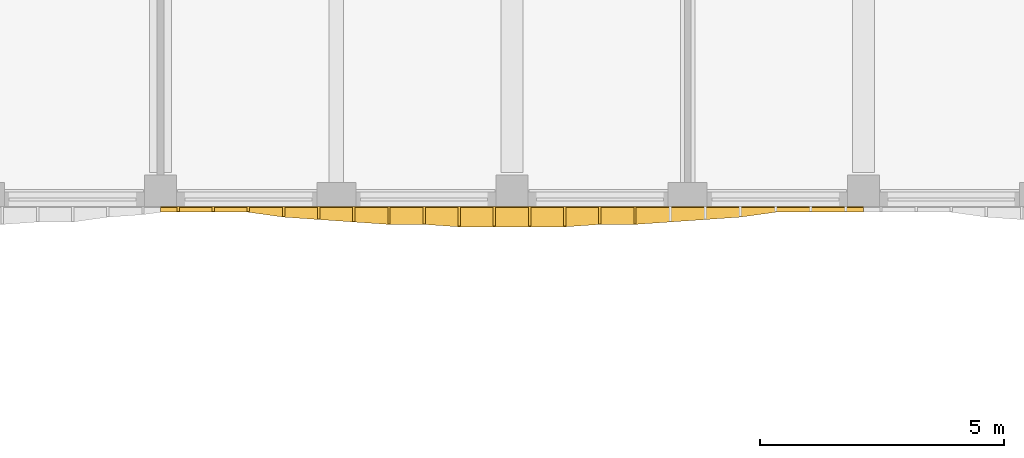
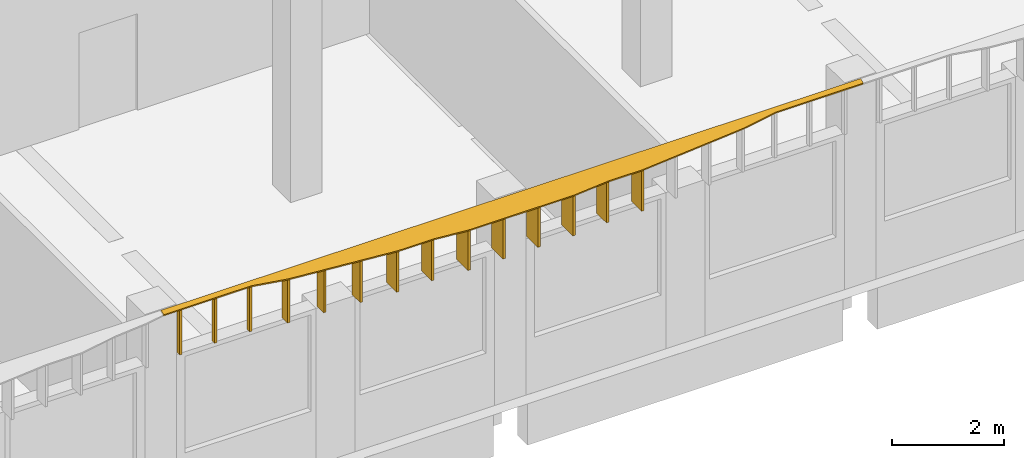
# One storey, part 43 of 58: 15 shading devices.
"""IFC4 building model written with IfcOpenShell, lengths in metres."""

from ifc_helpers import new_model, si_unit, direction, frame, origin, place, context, subcontext, project, spatial, polyline, outline, extrude, material, layer, layer_set, type_object, element, save


model = new_model("IFC4")

# Units and contexts
model_context = context("Model", 3, precision=1e-05, world=origin(), true_north=direction((0.0, 1.0)))
body_context = subcontext(model_context, "Body", "Model", "MODEL_VIEW")
ifc_project = project(units=[si_unit("LENGTHUNIT", "METRE"), si_unit("AREAUNIT", "SQUARE_METRE"), si_unit("VOLUMEUNIT", "CUBIC_METRE"), si_unit("PLANEANGLEUNIT", "RADIAN"), si_unit("MASSUNIT", "GRAM", prefix="KILO")], contexts=[model_context])

# Site, building, storey
site_placement = place(None, origin())
site = spatial("IfcSite", under=ifc_project, at=site_placement, CompositionType="ELEMENT")
building_placement = place(site_placement, origin())
building = spatial("IfcBuilding", under=site, at=building_placement, Name="Ussher Court Research Institute", CompositionType="ELEMENT")
storey_placement = place(building_placement, frame((0.0, 0.0, 9.89990234375)))
storey = spatial("IfcBuildingStorey", under=building, at=storey_placement, Name="L02", CompositionType="ELEMENT", Elevation=9.89990234375)

# Shading devices
ifc_material_1 = material(Name="Bronze anodised aluminium", Category="aluminium")
ifc_layer_1 = layer(ifc_material_1, 0.050048828125)
ifc_layer_set_1 = layer_set([ifc_layer_1], Name="Bronze anodised aluminium")
shading_device_type_1 = type_object("IfcShadingDeviceType", Name="Brim blade 100 mm deep 1000 mm high canted 20 deg dry", PredefinedType="USERDEFINED", material=ifc_layer_set_1)
for number, where, z_axis, x_axis, name in (
    (1, (26.39990234375, 68.39990234375, 3.4501953125), (0.0, 0.0, 1.0), (0.0, -1.0, 0.0), "Brim blade BS17 L02"),
    (2, (25.679931640625, 68.39990234375, 3.4501953125), (0.0, 0.0, 1.0), (0.0, -1.0, 0.0), "Brim blade BS17 L02"),
    (3, (24.9599609375, 68.39990234375, 3.4501953125), (0.0, 0.0, 1.0), (0.0, -1.0, 0.0), "Brim blade BS17 L02"),
):
    element("IfcShadingDevice", number, at=place(storey_placement, frame(where, z_axis=z_axis, x_axis=x_axis)), inside=storey, type_object=shading_device_type_1, Name=name, ObjectType="BLADE", PredefinedType="USERDEFINED", context=body_context, shape_type="SweptSolid", body=[
        extrude(outline(polyline([(0.0, 0.0), (0.099853515625, 0.0), (0.10009765625, 0.963623046875), (0.0, 1.0), (0.0, 0.0)])), frame((0.0, 0.02490234375, 0.0), z_axis=(0.0, -1.0, 0.0), x_axis=(1.0, 0.0, 0.0)), (0.0, 0.0, 1.0), 0.050048828125),
    ])
ifc_material_2 = material(Name="Bronze anodised aluminium", Category="aluminium")
ifc_layer_2 = layer(ifc_material_2, 0.050048828125)
ifc_layer_set_2 = layer_set([ifc_layer_2], Name="Bronze anodised aluminium")
shading_device_type_2 = type_object("IfcShadingDeviceType", Name="Brim blade 200 mm deep 1000 mm high canted 20 deg dry", PredefinedType="USERDEFINED", material=ifc_layer_set_2)
shading_device_1_placement = place(storey_placement, frame((27.1201171875, 68.39990234375, 3.4501953125), z_axis=(0.0, 0.0, 1.0), x_axis=(0.0, -1.0, 0.0)))
element("IfcShadingDevice", 4, at=shading_device_1_placement, inside=storey, type_object=shading_device_type_2, Name="Brim blade BS15 L02", ObjectType="BLADE", PredefinedType="USERDEFINED", context=body_context, shape_type="SweptSolid", body=[
    extrude(outline(polyline([(0.0, 0.0), (0.199951171875, 0.0), (0.199951171875, 0.927001953125), (0.0, 1.0), (0.0, 0.0)])), frame((0.0, 0.02490234375, 0.0), z_axis=(0.0, -1.0, 0.0), x_axis=(1.0, 0.0, 0.0)), (0.0, 0.0, 1.0), 0.050048828125),
])
ifc_material_3 = material(Name="Bronze anodised aluminium", Category="aluminium")
ifc_layer_3 = layer(ifc_material_3, 0.050048828125)
ifc_layer_set_3 = layer_set([ifc_layer_3], Name="Bronze anodised aluminium")
shading_device_type_3 = type_object("IfcShadingDeviceType", Name="Brim blade 250 mm deep 1000 mm high canted 20 deg dry", PredefinedType="USERDEFINED", material=ifc_layer_set_3)
shading_device_2_placement = place(storey_placement, frame((27.840087890625, 68.39990234375, 3.4501953125), z_axis=(0.0, 0.0, 1.0), x_axis=(0.0, -1.0, 0.0)))
element("IfcShadingDevice", 5, at=shading_device_2_placement, inside=storey, type_object=shading_device_type_3, Name="Brim blade BS14 L02", ObjectType="BLADE", PredefinedType="USERDEFINED", context=body_context, shape_type="SweptSolid", body=[
    extrude(outline(polyline([(0.0, 0.0), (0.25, 0.0), (0.25, 0.908935546875), (0.0, 1.0), (0.0, 0.0)])), frame((0.0, 0.02490234375, 0.0), z_axis=(0.0, -1.0, 0.0), x_axis=(1.0, 0.0, 0.0)), (0.0, 0.0, 1.0), 0.050048828125),
])
ifc_material_4 = material(Name="Bronze anodised aluminium", Category="aluminium")
ifc_layer_4 = layer(ifc_material_4, 0.050048828125)
ifc_layer_set_4 = layer_set([ifc_layer_4], Name="Bronze anodised aluminium")
shading_device_type_4 = type_object("IfcShadingDeviceType", Name="Brim blade 300 mm deep 1000 mm high canted 20 deg dry", PredefinedType="USERDEFINED", material=ifc_layer_set_4)
shading_device_3_placement = place(storey_placement, frame((28.56005859375, 68.39990234375, 3.4501953125), z_axis=(0.0, 0.0, 1.0), x_axis=(0.0, -1.0, 0.0)))
element("IfcShadingDevice", 6, at=shading_device_3_placement, inside=storey, type_object=shading_device_type_4, Name="Brim blade BS13 L02", ObjectType="BLADE", PredefinedType="USERDEFINED", context=body_context, shape_type="SweptSolid", body=[
    extrude(outline(polyline([(0.0, 0.0), (0.2998046875, 0.0), (0.300048828125, 0.890625), (0.0, 1.0), (0.0, 0.0)])), frame((0.0, 0.02490234375, 0.0), z_axis=(0.0, -1.0, 0.0), x_axis=(1.0, 0.0, 0.0)), (0.0, 0.0, 1.0), 0.050048828125),
])
ifc_material_5 = material(Name="Bronze anodised aluminium", Category="aluminium")
ifc_layer_5 = layer(ifc_material_5, 0.050048828125)
ifc_layer_set_5 = layer_set([ifc_layer_5], Name="Bronze anodised aluminium")
shading_device_type_5 = type_object("IfcShadingDeviceType", Name="Brim blade 350 mm deep 1000 mm high canted 20 deg dry", PredefinedType="USERDEFINED", material=ifc_layer_set_5)
for number, where, z_axis, x_axis, name in (
    (7, (34.320068359375, 68.39990234375, 3.4501953125), (0.0, 0.0, 1.0), (0.0, -1.0, 0.0), "Brim blade BS12 L02"),
    (8, (33.60009765625, 68.39990234375, 3.4501953125), (0.0, 0.0, 1.0), (0.0, -1.0, 0.0), "Brim blade BS12 L02"),
    (9, (30.0, 68.39990234375, 3.4501953125), (0.0, 0.0, 1.0), (0.0, -1.0, 0.0), "Brim blade BS12 L02"),
    (10, (29.280029296875, 68.39990234375, 3.4501953125), (0.0, 0.0, 1.0), (0.0, -1.0, 0.0), "Brim blade BS12 L02"),
):
    element("IfcShadingDevice", number, at=place(storey_placement, frame(where, z_axis=z_axis, x_axis=x_axis)), inside=storey, type_object=shading_device_type_5, Name=name, ObjectType="BLADE", PredefinedType="USERDEFINED", context=body_context, shape_type="SweptSolid", body=[
        extrude(outline(polyline([(0.0, 0.0), (0.349853515625, 0.0), (0.35009765625, 0.87255859375), (0.0, 1.0), (0.0, 0.0)])), frame((0.0, 0.02490234375, 0.0), z_axis=(0.0, -1.0, 0.0), x_axis=(1.0, 0.0, 0.0)), (0.0, 0.0, 1.0), 0.050048828125),
    ])
ifc_material_6 = material(Name="Bronze anodised aluminium", Category="aluminium")
ifc_layer_6 = layer(ifc_material_6, 0.050048828125)
ifc_layer_set_6 = layer_set([ifc_layer_6], Name="Bronze anodised aluminium")
shading_device_type_6 = type_object("IfcShadingDeviceType", Name="Brim blade 400 mm deep 1000 mm high canted 20 deg dry", PredefinedType="USERDEFINED", material=ifc_layer_set_6)
for number, where, z_axis, x_axis, name in (
    (11, (32.8798828125, 68.39990234375, 3.4501953125), (0.0, 0.0, 1.0), (0.0, -1.0, 0.0), "Brim blade BS11 L02"),
    (12, (32.159912109375, 68.39990234375, 3.4501953125), (0.0, 0.0, 1.0), (0.0, -1.0, 0.0), "Brim blade BS11 L02"),
    (13, (31.43994140625, 68.39990234375, 3.4501953125), (0.0, 0.0, 1.0), (0.0, -1.0, 0.0), "Brim blade BS11 L02"),
    (14, (30.719970703125, 68.39990234375, 3.4501953125), (0.0, 0.0, 1.0), (0.0, -1.0, 0.0), "Brim blade BS11 L02"),
):
    element("IfcShadingDevice", number, at=place(storey_placement, frame(where, z_axis=z_axis, x_axis=x_axis)), inside=storey, type_object=shading_device_type_6, Name=name, ObjectType="BLADE", PredefinedType="USERDEFINED", context=body_context, shape_type="SweptSolid", body=[
        extrude(outline(polyline([(0.0, 0.0), (0.39990234375, 0.0), (0.39990234375, 0.854248046875), (0.0, 1.0), (0.0, 0.0)])), frame((0.0, 0.02490234375, 0.0), z_axis=(0.0, -1.0, 0.0), x_axis=(1.0, 0.0, 0.0)), (0.0, 0.0, 1.0), 0.050048828125),
    ])
ifc_material_7 = material(Name="Bronze anodised aluminium", Category="aluminium")
ifc_layer_7 = layer(ifc_material_7, 0.0400390625)
ifc_layer_set_7 = layer_set([ifc_layer_7], Name="Bronze anodised aluminium")
shading_device_type_7 = type_object("IfcShadingDeviceType", Name="Brim visor sheet 40 mm canted 20 deg dry", PredefinedType="USERDEFINED", material=ifc_layer_set_7)
shading_device_4_placement = place(storey_placement, frame((39.0, 68.38623046875, 4.48779296875), z_axis=(0.0, -0.342400477754, 0.939554103197), x_axis=(-1.0, 0.0, 0.0)))
element("IfcShadingDevice", 15, at=shading_device_4_placement, inside=storey, type_object=shading_device_type_7, Name="Brim visor sheet BR2 L02", ObjectType="BRIM", PredefinedType="USERDEFINED", context=body_context, shape_type="SweptSolid", body=[
    extrude(outline(polyline([(0.0, 0.0), (14.39990234375, 0.0), (14.39990234375, 0.10627326645332352), (14.0400390625, 0.10627326645332352), (13.320068359375, 0.10627326645332352), (12.60009765625, 0.10627326645332352), (11.8798828125, 0.21285951009926202), (11.159912109375, 0.26606903805559207), (10.43994140625, 0.31936215987856126), (9.719970703125, 0.3723423045089156), (9.0, 0.3723423045089156), (8.280029296875, 0.42563542633188484), (7.56005859375, 0.42563542633188484), (6.840087890625, 0.42563542633188484), (6.1201171875, 0.42563542633188484), (5.39990234375, 0.3723423045089156), (4.679931640625, 0.3723423045089156), (3.9599609375, 0.31936215987856126), (3.239990234375, 0.26606903805559207), (2.52001953125, 0.21285951009926202), (1.800048828125, 0.10627326645332352), (1.080078125, 0.10627326645332352), (0.360107421875, 0.10627326645332352), (0.0, 0.10627326645332352), (0.0, 0.0)])), origin(), (0.0, 0.0, -1.0), 0.0400390625),
])

save(model, "model.ifc")
